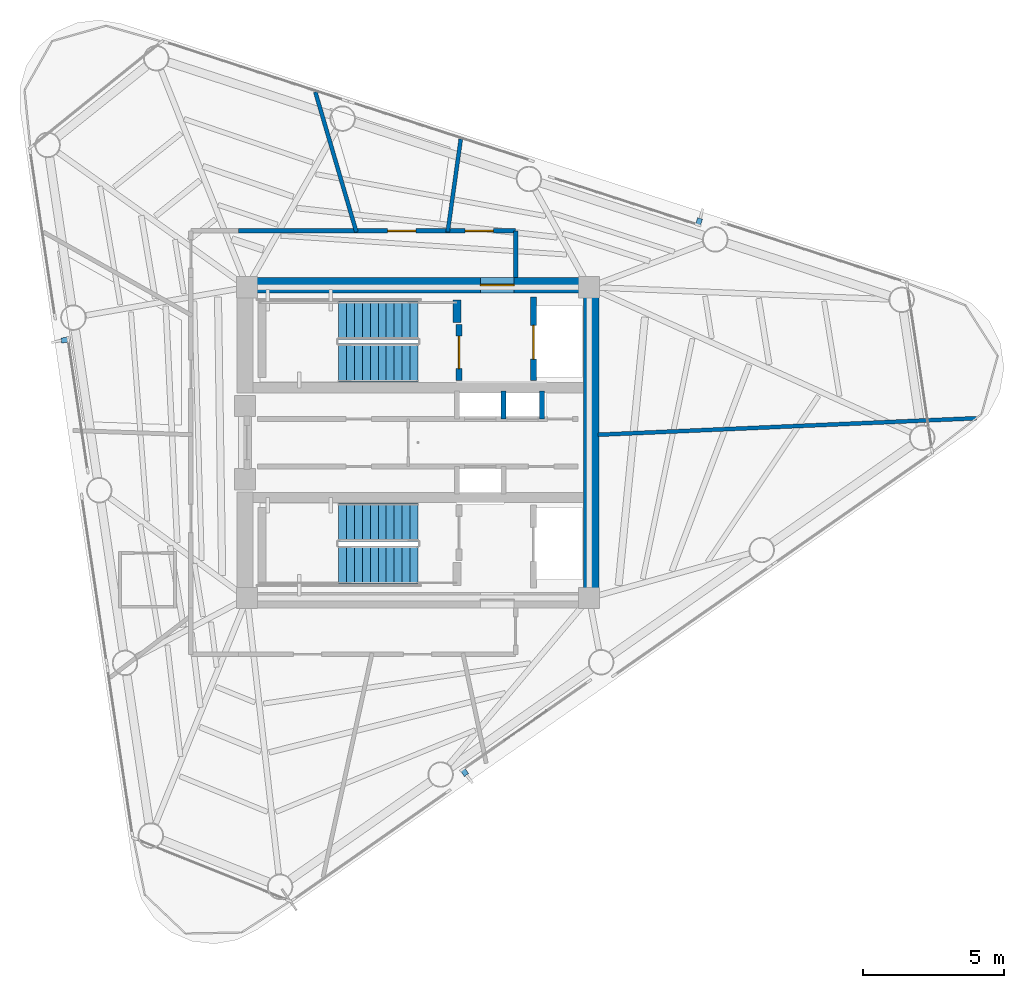
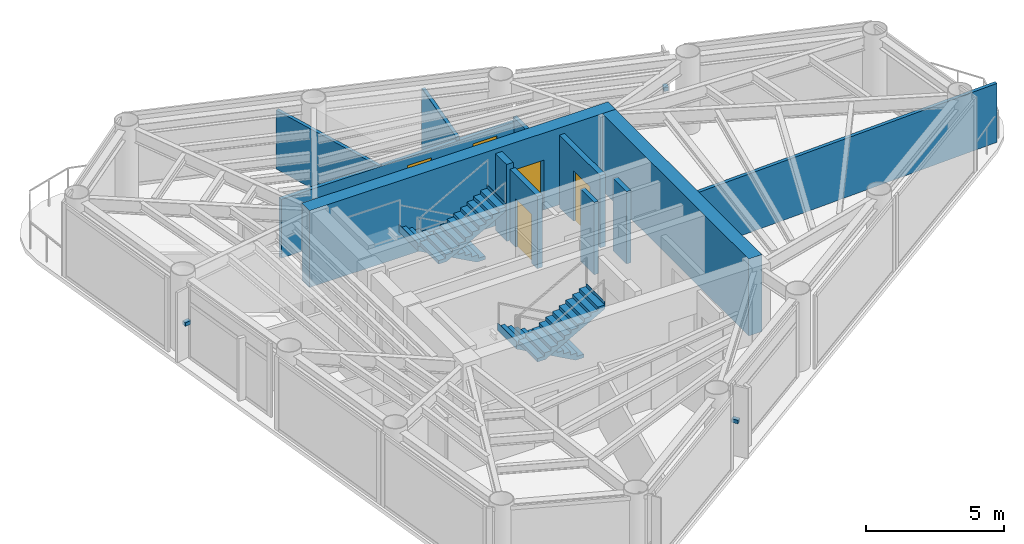
# One storey, part 6 of 9: 12 walls, 5 doors, 4 stair flights, 3 discrete accessories, 5 openings, 2 elements without a shape of their own.
"""IFC4 building model written with IfcOpenShell, lengths in metres."""

from ifc_helpers import new_model, si_unit, direction, frame, frame_2d, origin, origin_2d, place, context, subcontext, project, spatial, polyline, rectangle, outline, extrude, source, transform, mapped, material, layer, layer_set, type_object, element, fill, aggregate, save


model = new_model("IFC4")

# Units and contexts
model_context = context("Model", 3, precision=1e-05, world=origin(), true_north=direction((0.0, 1.0)))
body_context = subcontext(model_context, "Body", "Model", "MODEL_VIEW")
ifc_project = project(units=[si_unit("LENGTHUNIT", "METRE"), si_unit("AREAUNIT", "SQUARE_METRE"), si_unit("VOLUMEUNIT", "CUBIC_METRE"), si_unit("PLANEANGLEUNIT", "RADIAN"), si_unit("MASSUNIT", "GRAM", prefix="KILO")], contexts=[model_context])

# Site, building, storey
site_placement = place(None, origin())
site = spatial("IfcSite", under=ifc_project, at=site_placement, CompositionType="ELEMENT")
building_placement = place(site_placement, origin())
building = spatial("IfcBuilding", under=site, at=building_placement, Name="Yunling Apex Tower", CompositionType="ELEMENT")
storey_placement = place(building_placement, frame((0.0, 0.0, 257.550048828125)))
storey = spatial("IfcBuildingStorey", under=building, at=storey_placement, Name="L62", CompositionType="ELEMENT", Elevation=257.550048828125)

# Wall, opening, door
ifc_material_1 = material(Name="Concrete C40", Category="concrete")
ifc_layer_1 = layer(ifc_material_1, 0.550048828125)
ifc_layer_set_1 = layer_set([ifc_layer_1], Name="Concrete C40")
wall_type_1 = type_object("IfcWallType", Name="WL-COR-3", PredefinedType="SHEAR", material=ifc_layer_set_1)
wall_1_placement = place(storey_placement, frame((-6.39990234375, 5.574951171875, 0.0), z_axis=(0.0, 0.0, 1.0), x_axis=(1.0, 0.0, 0.0)))
wall_1 = element("IfcWall", 1, at=wall_1_placement, inside=storey, type_object=wall_type_1, Name="L62 North Core Shear Wall", PredefinedType="SHEAR", context=body_context, shape_type="SweptSolid", body=[
    extrude(rectangle(XDim=12.7998046875, YDim=0.550048828125, at=frame_2d((6.39990234375, 0.0))), origin(), (0.0, 0.0, 1.0), 3.39990234375),
])
opening_1_placement = place(wall_1_placement, frame((8.60009765625, 0.0, 0.0)))
opening_1 = element("IfcOpeningElement", 2, at=opening_1_placement, cuts=wall_1, Name="Opening DR-FFL-1", PredefinedType="OPENING", context=body_context, shape_type="SweptSolid", body=[
    extrude(rectangle(XDim=1.199951171875, YDim=2.199951171875, at=frame_2d((0.60009765625, 1.10009765625))), frame((0.0, 0.28515625, 0.0), z_axis=(0.0, -1.0, 0.0), x_axis=(1.0, 0.0, 0.0)), (0.0, 0.0, 1.0), 0.570068359375),
])
ifc_material_2 = material(Name="Steel Q355B", Category="steel")
door_type_1 = type_object("IfcDoorType", Name="DR-FFL-1", OperationType="NOTDEFINED", PredefinedType="DOOR", material=ifc_material_2)
door_1_placement = place(opening_1_placement, origin())
door_1 = element("IfcDoor", 3, at=door_1_placement, inside=storey, type_object=door_type_1, Name="L62 North Firefighting Lobby Door", OperationType="SINGLE_SWING_LEFT", OverallHeight=2.199951171875, OverallWidth=1.199951171875, PredefinedType="DOOR", context=body_context, shape_type="SweptSolid", body=[
    extrude(rectangle(XDim=1.199951171875, YDim=2.199951171875, at=frame_2d((0.60009765625, 1.10009765625))), frame((0.0, 0.02490234375, 0.0), z_axis=(0.0, -1.0, 0.0), x_axis=(1.0, 0.0, 0.0)), (0.0, 0.0, 1.0), 0.050048828125),
])
fill(opening_1, door_1)

# Walls
wall_2_placement = place(storey_placement, frame((6.125, -5.300048828125, 0.0), z_axis=(0.0, 0.0, 1.0), x_axis=(0.0, 1.0, 0.0)))
element("IfcWall", 4, at=wall_2_placement, inside=storey, type_object=wall_type_1, Name="L62 East Core Shear Wall", PredefinedType="SHEAR", context=body_context, shape_type="SweptSolid", body=[
    extrude(rectangle(XDim=10.60009765625, YDim=0.550048828125, at=frame_2d((5.300048828125, 0.0))), origin(), (0.0, 0.0, 1.0), 3.39990234375),
])
ifc_layer_2 = layer(ifc_material_1, 0.280029296875)
ifc_layer_set_2 = layer_set([ifc_layer_2], Name="Concrete C40")
wall_type_2 = type_object("IfcWallType", Name="WL-COR-8", PredefinedType="SHEAR", material=ifc_layer_set_2)
wall_3_placement = place(storey_placement, frame((1.3798828125, 4.25, 0.0), z_axis=(0.0, 0.0, 1.0), x_axis=(0.0, 1.0, 0.0)))
element("IfcWall", 5, at=wall_3_placement, inside=storey, type_object=wall_type_2, Name="L62 ST-1 East Landing Bearing Pier", PredefinedType="SHEAR", context=body_context, shape_type="SweptSolid", body=[
    extrude(rectangle(XDim=0.800048828125, YDim=0.280029296875, at=frame_2d((0.39990234375, 0.0))), origin(), (0.0, 0.0, 1.0), 3.39990234375),
])

# Wall, openings, doors
ifc_material_3 = material(Name="Gypsum board acoustic partition")
ifc_layer_3 = layer(ifc_material_3, 0.159912109375)
ifc_layer_set_3 = layer_set([ifc_layer_3], Name="Gypsum board acoustic partition")
wall_type_3 = type_object("IfcWallType", Name="WL-PRT-1", PredefinedType="PARTITIONING", material=ifc_layer_set_3)
wall_4_placement = place(storey_placement, frame((-6.360107421875, 7.489990234375, 0.0), z_axis=(0.0, 0.0, 1.0), x_axis=(1.0, 0.0, 0.0)))
wall_4 = element("IfcWall", 6, at=wall_4_placement, inside=storey, type_object=wall_type_3, Name="WL-CORR-L62-03", PredefinedType="PARTITIONING", context=body_context, shape_type="SweptSolid", body=[
    extrude(rectangle(XDim=9.81005859375, YDim=0.159912109375, at=frame_2d((4.905029296875, 0.0))), origin(), (0.0, 0.0, 1.0), 2.60498046875),
])
opening_2_placement = place(wall_4_placement, frame((5.283935546875, 0.0, 0.0)))
opening_2 = element("IfcOpeningElement", 7, at=opening_2_placement, cuts=wall_4, Name="Opening DR-OFF-1", PredefinedType="OPENING", context=body_context, shape_type="SweptSolid", body=[
    extrude(rectangle(XDim=1.0, YDim=2.25, at=frame_2d((0.5, 1.125))), frame((0.0, 0.08984375, 0.0), z_axis=(0.0, -1.0, 0.0), x_axis=(1.0, 0.0, 0.0)), (0.0, 0.0, 1.0), 0.179931640625),
])
opening_3_placement = place(wall_4_placement, frame((8.023193359375, 0.0, 0.0)))
opening_3 = element("IfcOpeningElement", 8, at=opening_3_placement, cuts=wall_4, Name="Opening DR-OFF-1", PredefinedType="OPENING", context=body_context, shape_type="SweptSolid", body=[
    extrude(rectangle(XDim=1.0, YDim=2.25, at=frame_2d((0.5, 1.125))), frame((0.0, 0.08984375, 0.0), z_axis=(0.0, -1.0, 0.0), x_axis=(1.0, 0.0, 0.0)), (0.0, 0.0, 1.0), 0.179931640625),
])
ifc_material_4 = material(Name="Bronze anodised aluminium", Category="aluminium")
door_type_2 = type_object("IfcDoorType", Name="DR-OFF-1", OperationType="NOTDEFINED", PredefinedType="DOOR", material=ifc_material_4)
door_2_placement = place(opening_2_placement, origin())
door_2 = element("IfcDoor", 9, at=door_2_placement, inside=storey, type_object=door_type_2, Name="L62 Wellness Yoga Club Door", OperationType="SINGLE_SWING_RIGHT", OverallHeight=2.25, OverallWidth=1.0, PredefinedType="DOOR", context=body_context, shape_type="SweptSolid", body=[
    extrude(rectangle(XDim=1.0, YDim=2.25, at=frame_2d((0.5, 1.125))), frame((0.0, 0.02490234375, 0.0), z_axis=(0.0, -1.0, 0.0), x_axis=(1.0, 0.0, 0.0)), (0.0, 0.0, 1.0), 0.050048828125),
])
fill(opening_2, door_2)
door_3_placement = place(opening_3_placement, origin())
door_3 = element("IfcDoor", 10, at=door_3_placement, inside=storey, type_object=door_type_2, Name="L62 Residents Music Lounge Door", OperationType="SINGLE_SWING_LEFT", OverallHeight=2.25, OverallWidth=1.0, PredefinedType="DOOR", context=body_context, shape_type="SweptSolid", body=[
    extrude(rectangle(XDim=1.0, YDim=2.25, at=frame_2d((0.5, 1.125))), frame((0.0, 0.02490234375, 0.0), z_axis=(0.0, -1.0, 0.0), x_axis=(1.0, 0.0, 0.0)), (0.0, 0.0, 1.0), 0.050048828125),
])
fill(opening_3, door_3)

# Walls
wall_5_placement = place(storey_placement, frame((3.449951171875, 7.489990234375, 0.0), z_axis=(0.0, 0.0, 1.0), x_axis=(0.0, -1.0, 0.0)))
element("IfcWall", 11, at=wall_5_placement, inside=storey, type_object=wall_type_3, Name="WL-CORR-L62-04", PredefinedType="PARTITIONING", context=body_context, shape_type="SweptSolid", body=[
    extrude(rectangle(XDim=1.639892578125, YDim=0.159912109375, at=frame_2d((0.81982421875, 0.0))), origin(), (0.0, 0.0, 1.0), 2.804931640625),
])
ifc_layer_4 = layer(ifc_material_3, 0.139892578125)
ifc_layer_set_4 = layer_set([ifc_layer_4], Name="Gypsum board acoustic partition")
wall_type_4 = type_object("IfcWallType", Name="WL-PRT-2", PredefinedType="PARTITIONING", material=ifc_layer_set_4)
wall_6_placement = place(storey_placement, frame((6.360107421875, 0.277587890625, 0.0), z_axis=(0.0, 0.0, 1.0), x_axis=(0.999047617824, 0.043633213494, 0.0)))
element("IfcWall", 12, at=wall_6_placement, inside=storey, type_object=wall_type_4, Name="WL-RAD-L62-01", PredefinedType="PARTITIONING", context=body_context, shape_type="SweptSolid", body=[
    extrude(rectangle(XDim=13.40625, YDim=0.139892578125, at=frame_2d((6.703125, 0.0))), origin(), (0.0, 0.0, 1.0), 2.60498046875),
])
wall_7_placement = place(storey_placement, frame((1.047119140625, 7.449951171875, 0.0), z_axis=(0.0, 0.0, 1.0), x_axis=(0.13916814145, 0.990268765743, 0.0)))
element("IfcWall", 13, at=wall_7_placement, inside=storey, type_object=wall_type_4, Name="WL-RAD-L62-02", PredefinedType="PARTITIONING", context=body_context, shape_type="SweptSolid", body=[
    extrude(rectangle(XDim=3.322509765625, YDim=0.139892578125, at=frame_2d((1.6611328125, 0.0))), origin(), (0.0, 0.0, 1.0), 2.764892578125),
])
wall_8_placement = place(storey_placement, frame((-2.18310546875, 7.449951171875, 0.0), z_axis=(0.0, 0.0, 1.0), x_axis=(-0.281242676509, 0.95963667964, 0.0)))
element("IfcWall", 14, at=wall_8_placement, inside=storey, type_object=wall_type_4, Name="WL-RAD-L62-03", PredefinedType="PARTITIONING", context=body_context, shape_type="SweptSolid", body=[
    extrude(rectangle(XDim=5.166748046875, YDim=0.139892578125, at=frame_2d((2.58349609375, 0.0))), origin(), (0.0, 0.0, 1.0), 2.60498046875),
])

# Wall, opening, door
ifc_material_5 = material(Name="Autoclaved aerated concrete masonry", Category="masonry")
ifc_layer_5 = layer(ifc_material_5, 0.219970703125)
ifc_layer_set_5 = layer_set([ifc_layer_5], Name="Autoclaved aerated concrete masonry")
wall_type_5 = type_object("IfcWallType", Name="WL-SHF-1", PredefinedType="PLUMBINGWALL", material=ifc_layer_set_5)
wall_9_placement = place(storey_placement, frame((1.449951171875, 2.199951171875, 0.0), z_axis=(0.0, 0.0, 1.0), x_axis=(0.0, 1.0, 0.0)))
wall_9 = element("IfcWall", 15, at=wall_9_placement, inside=storey, type_object=wall_type_5, Name="WL-ST1-E-L62", PredefinedType="PLUMBINGWALL", context=body_context, shape_type="SweptSolid", body=[
    extrude(rectangle(XDim=1.97998046875, YDim=0.219970703125, at=frame_2d((0.989990234375, 0.0))), origin(), (0.0, 0.0, 1.0), 3.199951171875),
])
opening_4_placement = place(wall_9_placement, frame((0.419921875, 0.0, 0.0)))
opening_4 = element("IfcOpeningElement", 16, at=opening_4_placement, cuts=wall_9, Name="Opening DR-ST-1", PredefinedType="OPENING", context=body_context, shape_type="SweptSolid", body=[
    extrude(rectangle(XDim=1.14990234375, YDim=2.14990234375, at=frame_2d((0.574951171875, 1.074951171875))), frame((0.0, 0.1201171875, 0.0), z_axis=(0.0, -1.0, 0.0), x_axis=(1.0, 0.0, 0.0)), (0.0, 0.0, 1.0), 0.239990234375),
])
door_type_3 = type_object("IfcDoorType", Name="DR-ST-1", OperationType="NOTDEFINED", PredefinedType="DOOR", material=ifc_material_2)
door_4_placement = place(opening_4_placement, origin())
door_4 = element("IfcDoor", 17, at=door_4_placement, inside=storey, type_object=door_type_3, Name="L62 Stair ST-1 Fire Door", OperationType="SINGLE_SWING_LEFT", OverallHeight=2.14990234375, OverallWidth=1.14990234375, PredefinedType="DOOR", context=body_context, shape_type="SweptSolid", body=[
    extrude(rectangle(XDim=1.14990234375, YDim=2.14990234375, at=frame_2d((0.574951171875, 1.074951171875))), frame((0.0, 0.02490234375, 0.0), z_axis=(0.0, -1.0, 0.0), x_axis=(1.0, 0.0, 0.0)), (0.0, 0.0, 1.0), 0.050048828125),
])
fill(opening_4, door_4)

wall_10_placement = place(storey_placement, frame((4.080078125, 2.199951171875, 0.0), z_axis=(0.0, 0.0, 1.0), x_axis=(0.0, 1.0, 0.0)))
wall_10 = element("IfcWall", 18, at=wall_10_placement, inside=storey, type_object=wall_type_5, Name="WL-FFL1-W-L62", PredefinedType="PLUMBINGWALL", context=body_context, shape_type="SweptSolid", body=[
    extrude(rectangle(XDim=2.949951171875, YDim=0.219970703125, at=frame_2d((1.47509765625, 0.0))), origin(), (0.0, 0.0, 1.0), 3.199951171875),
])
opening_5_placement = place(wall_10_placement, frame((0.75, 0.0, 0.0)))
opening_5 = element("IfcOpeningElement", 19, at=opening_5_placement, cuts=wall_10, Name="Opening LD-FFL-1", PredefinedType="OPENING", context=body_context, shape_type="SweptSolid", body=[
    extrude(rectangle(XDim=1.199951171875, YDim=2.25, at=frame_2d((0.60009765625, 1.125))), frame((0.0, 0.1201171875, 0.0), z_axis=(0.0, -1.0, 0.0), x_axis=(1.0, 0.0, 0.0)), (0.0, 0.0, 1.0), 0.239990234375),
])
door_type_4 = type_object("IfcDoorType", Name="LD-FFL-1", OperationType="DOUBLE_DOOR_SLIDING", PredefinedType="DOOR", material=ifc_material_2)
door_5_placement = place(opening_5_placement, origin())
door_5 = element("IfcDoor", 20, at=door_5_placement, inside=storey, type_object=door_type_4, Name="L62 Lift FFL-1 Landing Door", OperationType="DOUBLE_DOOR_SLIDING", OverallHeight=2.25, OverallWidth=1.199951171875, PredefinedType="DOOR", context=body_context, shape_type="SweptSolid", body=[
    extrude(rectangle(XDim=1.199951171875, YDim=2.25, at=frame_2d((0.60009765625, 1.125))), frame((0.0, 0.02490234375, 0.0), z_axis=(0.0, -1.0, 0.0), x_axis=(1.0, 0.0, 0.0)), (0.0, 0.0, 1.0), 0.050048828125),
])
fill(opening_5, door_5)

# Walls
ifc_layer_6 = layer(ifc_material_5, 0.179931640625)
ifc_layer_set_6 = layer_set([ifc_layer_6], Name="Autoclaved aerated concrete masonry")
wall_type_6 = type_object("IfcWallType", Name="WL-SHF-2", PredefinedType="PLUMBINGWALL", material=ifc_layer_set_6)
for number, where, z_axis, x_axis, name in (
    (21, (3.02001953125, 0.840087890625, 0.0), (0.0, 0.0, 1.0), (0.0, 1.0, 0.0), "WL-DIV-H13-L62"),
    (22, (4.3798828125, 0.840087890625, 0.0), (0.0, 0.0, 1.0), (0.0, 1.0, 0.0), "WL-END-H3E-L62"),
):
    element("IfcWall", number, at=place(storey_placement, frame(where, z_axis=z_axis, x_axis=x_axis)), inside=storey, type_object=wall_type_6, Name=name, PredefinedType="PLUMBINGWALL", context=body_context, shape_type="SweptSolid", body=[
        extrude(rectangle(XDim=0.97998046875, YDim=0.179931640625, at=frame_2d((0.489990234375, 0.0))), origin(), (0.0, 0.0, 1.0), 3.199951171875),
    ])

# Stair, stair flights
stair_type = type_object("IfcStairType", Name="ST-TWR-3", PredefinedType="HALF_TURN_STAIR", material=ifc_material_1)
stair_1_placement = place(storey_placement, origin())
stair_1 = element("IfcStair", 23, at=stair_1_placement, inside=storey, type_object=stair_type, Name="L62 North Core Smokeproof Exit Stair ST-1", PredefinedType="HALF_TURN_STAIR")
stair_flight_type = type_object("IfcStairFlightType", Name="SFL-TWR-3", PredefinedType="STRAIGHT", material=ifc_material_1)
stair_flight_1_placement = place(storey_placement, frame((-0.010009765625, 4.330078125, 0.0), z_axis=(0.0, 0.0, 1.0), x_axis=(-1.0, 0.0, 0.0)))
stair_flight_1 = element("IfcStairFlight", 24, at=stair_flight_1_placement, type_object=stair_flight_type, Name="ST-1 flight 1", NumberOfRisers=11, NumberOfTreads=10, PredefinedType="STRAIGHT", RiserHeight=0.154545455, TreadLength=0.28, context=body_context, shape_type="SweptSolid", body=[
    extrude(outline(polyline([(-0.011962890625, 0.0), (-0.011962890625, 0.154541015625), (0.0, 0.154541015625), (0.280029296875, 0.154541015625), (0.280029296875, 0.30908203125), (0.56005859375, 0.30908203125), (0.56005859375, 0.463623046875), (0.840087890625, 0.463623046875), (0.840087890625, 0.6181640625), (1.1201171875, 0.6181640625), (1.1201171875, 0.772705078125), (1.39990234375, 0.772705078125), (1.39990234375, 0.92724609375), (1.679931640625, 0.92724609375), (1.679931640625, 1.081787109375), (1.9599609375, 1.081787109375), (1.9599609375, 1.236328125), (2.239990234375, 1.236328125), (2.239990234375, 1.390869140625), (2.52001953125, 1.390869140625), (2.52001953125, 1.54541015625), (2.800048828125, 1.54541015625), (2.800048828125, 1.699951171875), (2.81201171875, 1.699951171875), (2.81201171875, 1.36279296875), (0.330810546875, 0.0), (-0.011962890625, 0.0)])), frame((0.0, 0.68017578125, 0.0), z_axis=(0.0, -1.0, 0.0), x_axis=(1.0, 0.0, 0.0)), (0.0, 0.0, 1.0), 1.360107421875),
])
stair_flight_2_placement = place(storey_placement, frame((-2.81005859375, 2.820068359375, 1.699951171875), z_axis=(0.0, 0.0, 1.0), x_axis=(1.0, 0.0, 0.0)))
stair_flight_2 = element("IfcStairFlight", 25, at=stair_flight_2_placement, type_object=stair_flight_type, Name="ST-1 flight 2", NumberOfRisers=11, NumberOfTreads=10, PredefinedType="STRAIGHT", RiserHeight=0.154545455, TreadLength=0.28, context=body_context, shape_type="SweptSolid", body=[
    extrude(outline(polyline([(-0.011962890625, 0.0), (-0.011962890625, 0.154541015625), (0.0, 0.154541015625), (0.280029296875, 0.154541015625), (0.280029296875, 0.30908203125), (0.56005859375, 0.30908203125), (0.56005859375, 0.463623046875), (0.840087890625, 0.463623046875), (0.840087890625, 0.6181640625), (1.1201171875, 0.6181640625), (1.1201171875, 0.772705078125), (1.39990234375, 0.772705078125), (1.39990234375, 0.92724609375), (1.679931640625, 0.92724609375), (1.679931640625, 1.081787109375), (1.9599609375, 1.081787109375), (1.9599609375, 1.236328125), (2.239990234375, 1.236328125), (2.239990234375, 1.390869140625), (2.52001953125, 1.390869140625), (2.52001953125, 1.54541015625), (2.800048828125, 1.54541015625), (2.800048828125, 1.699951171875), (2.81201171875, 1.699951171875), (2.81201171875, 1.36279296875), (0.330810546875, 0.0), (-0.011962890625, 0.0)])), frame((0.0, 0.68017578125, 0.0), z_axis=(0.0, -1.0, 0.0), x_axis=(1.0, 0.0, 0.0)), (0.0, 0.0, 1.0), 1.360107421875),
])
aggregate(stair_1, [stair_flight_1, stair_flight_2])

stair_2_placement = place(storey_placement, origin())
stair_2 = element("IfcStair", 26, at=stair_2_placement, inside=storey, type_object=stair_type, Name="L62 South Core Smokeproof Exit Stair ST-2", PredefinedType="HALF_TURN_STAIR")
stair_flight_3_placement = place(storey_placement, frame((-0.010009765625, -2.820068359375, 0.0), z_axis=(0.0, 0.0, 1.0), x_axis=(-1.0, 0.0, 0.0)))
stair_flight_3 = element("IfcStairFlight", 27, at=stair_flight_3_placement, type_object=stair_flight_type, Name="ST-2 flight 1", NumberOfRisers=11, NumberOfTreads=10, PredefinedType="STRAIGHT", RiserHeight=0.154545455, TreadLength=0.28, context=body_context, shape_type="SweptSolid", body=[
    extrude(outline(polyline([(-0.011962890625, 0.0), (-0.011962890625, 0.154541015625), (0.0, 0.154541015625), (0.280029296875, 0.154541015625), (0.280029296875, 0.30908203125), (0.56005859375, 0.30908203125), (0.56005859375, 0.463623046875), (0.840087890625, 0.463623046875), (0.840087890625, 0.6181640625), (1.1201171875, 0.6181640625), (1.1201171875, 0.772705078125), (1.39990234375, 0.772705078125), (1.39990234375, 0.92724609375), (1.679931640625, 0.92724609375), (1.679931640625, 1.081787109375), (1.9599609375, 1.081787109375), (1.9599609375, 1.236328125), (2.239990234375, 1.236328125), (2.239990234375, 1.390869140625), (2.52001953125, 1.390869140625), (2.52001953125, 1.54541015625), (2.800048828125, 1.54541015625), (2.800048828125, 1.699951171875), (2.81201171875, 1.699951171875), (2.81201171875, 1.36279296875), (0.330810546875, 0.0), (-0.011962890625, 0.0)])), frame((0.0, 0.68017578125, 0.0), z_axis=(0.0, -1.0, 0.0), x_axis=(1.0, 0.0, 0.0)), (0.0, 0.0, 1.0), 1.360107421875),
])
stair_flight_4_placement = place(storey_placement, frame((-2.81005859375, -4.330078125, 1.699951171875), z_axis=(0.0, 0.0, 1.0), x_axis=(1.0, 0.0, 0.0)))
stair_flight_4 = element("IfcStairFlight", 28, at=stair_flight_4_placement, type_object=stair_flight_type, Name="ST-2 flight 2", NumberOfRisers=11, NumberOfTreads=10, PredefinedType="STRAIGHT", RiserHeight=0.154545455, TreadLength=0.28, context=body_context, shape_type="SweptSolid", body=[
    extrude(outline(polyline([(-0.011962890625, 0.0), (-0.011962890625, 0.154541015625), (0.0, 0.154541015625), (0.280029296875, 0.154541015625), (0.280029296875, 0.30908203125), (0.56005859375, 0.30908203125), (0.56005859375, 0.463623046875), (0.840087890625, 0.463623046875), (0.840087890625, 0.6181640625), (1.1201171875, 0.6181640625), (1.1201171875, 0.772705078125), (1.39990234375, 0.772705078125), (1.39990234375, 0.92724609375), (1.679931640625, 0.92724609375), (1.679931640625, 1.081787109375), (1.9599609375, 1.081787109375), (1.9599609375, 1.236328125), (2.239990234375, 1.236328125), (2.239990234375, 1.390869140625), (2.52001953125, 1.390869140625), (2.52001953125, 1.54541015625), (2.800048828125, 1.54541015625), (2.800048828125, 1.699951171875), (2.81201171875, 1.699951171875), (2.81201171875, 1.36279296875), (0.330810546875, 0.0), (-0.011962890625, 0.0)])), frame((0.0, 0.68017578125, 0.0), z_axis=(0.0, -1.0, 0.0), x_axis=(1.0, 0.0, 0.0)), (0.0, 0.0, 1.0), 1.360107421875),
])
aggregate(stair_2, [stair_flight_3, stair_flight_4])

# Discrete accessories
discrete_accessory_type = type_object("IfcDiscreteAccessoryType", Name="BK-FIN-1", PredefinedType="BRACKET", material=ifc_material_2)
shared_shape = source(origin(), body_context, "Body", "SweptSolid", [
    extrude(rectangle(XDim=0.179931640625, YDim=0.260009765625, at=origin_2d()), origin(), (0.0, 0.0, 1.0), 0.159912109375),
])
for number, where, z_axis, x_axis, name in (
    (29, (1.638427734375, -11.656982421875, 1.52978515625), (0.0, 0.0, 1.0), (0.819552276527, 0.573004420611, 0.0), "CW-L62-F1-B2-BRK-01-1"),
    (30, (9.938720703125, 7.80810546875, 1.52978515625), (0.0, 0.0, 1.0), (-0.951272019071, 0.30835295642, 0.0), "CW-L62-F2-B2-BRK-01-1"),
    (31, (-12.492919921875, 3.630615234375, 1.52978515625), (0.0, 0.0, 1.0), (0.14780941113, -0.989015863362, 0.0), "CW-L62-F3-B2-BRK-01-1"),
):
    element("IfcDiscreteAccessory", number, at=place(storey_placement, frame(where, z_axis=z_axis, x_axis=x_axis)), inside=storey, type_object=discrete_accessory_type, Name=name, PredefinedType="BRACKET", context=body_context, shape_type="MappedRepresentation", body=[
        mapped(shared_shape, transform((0.0, 0.0, 0.0), scale=1.0)),
    ])

save(model, "model.ifc")
